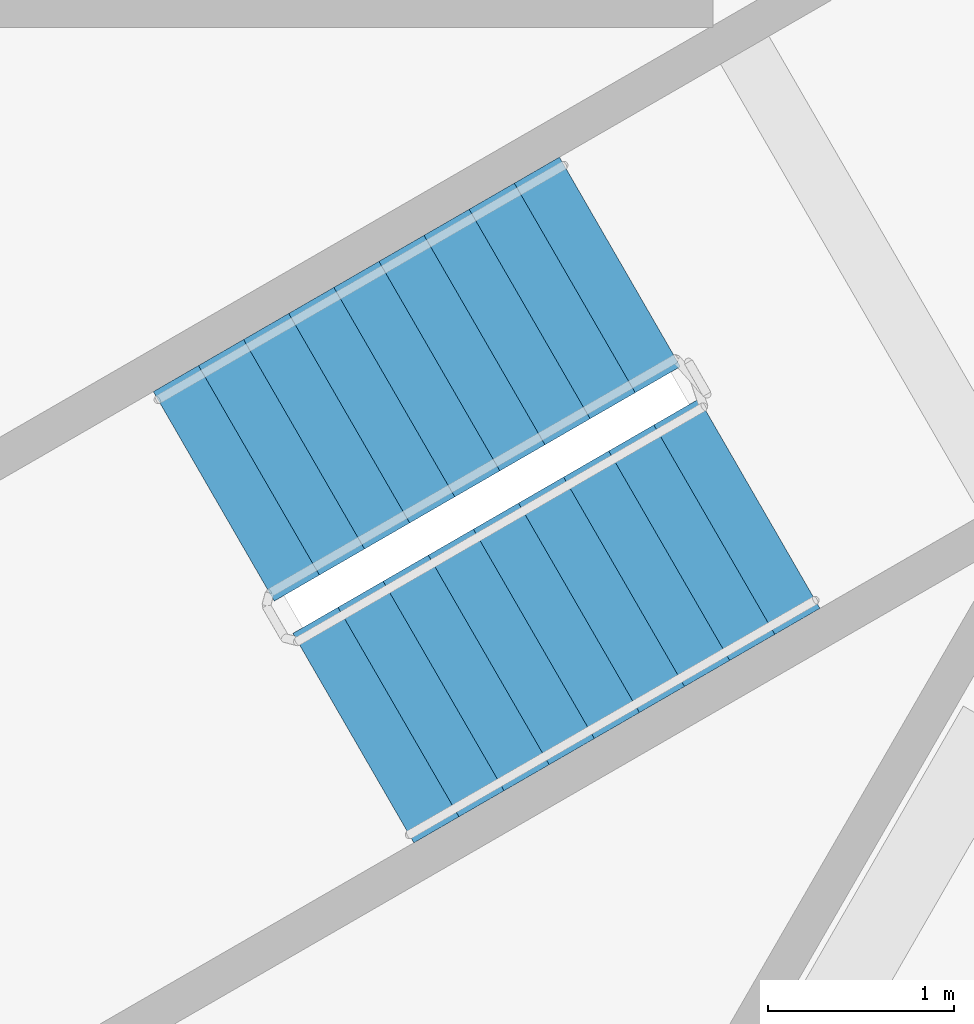
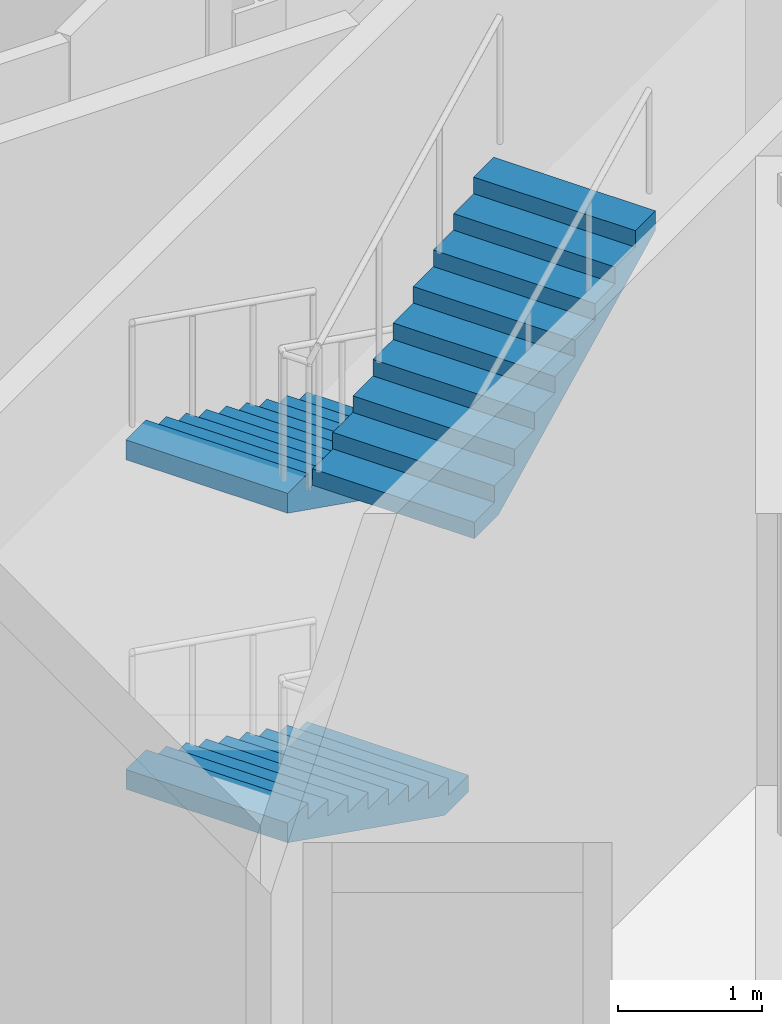
# One storey, part 20 of 26: 3 stair flights, 1 element without a shape of its own.
"""IFC4 building model written with IfcOpenShell, lengths in metres."""

from ifc_helpers import new_model, si_unit, direction, frame, origin, place, context, subcontext, project, spatial, polyline, outline, extrude, material, type_object, element, aggregate, save


model = new_model("IFC4")

# Units and contexts
model_context = context("Model", 3, precision=1e-05, world=origin(), true_north=direction((0.0, 1.0)))
body_context = subcontext(model_context, "Body", "Model", "MODEL_VIEW")
ifc_project = project(units=[si_unit("LENGTHUNIT", "METRE"), si_unit("AREAUNIT", "SQUARE_METRE"), si_unit("VOLUMEUNIT", "CUBIC_METRE"), si_unit("PLANEANGLEUNIT", "RADIAN"), si_unit("MASSUNIT", "GRAM", prefix="KILO")], contexts=[model_context])

# Site, building, storey
site_placement = place(None, origin())
site = spatial("IfcSite", under=ifc_project, at=site_placement, CompositionType="ELEMENT")
building_placement = place(site_placement, origin())
building = spatial("IfcBuilding", under=site, at=building_placement, Name="Verrane Prism Tower", CompositionType="ELEMENT")
storey_placement = place(building_placement, frame((0.0, 0.0, 87.199951171875)))
storey = spatial("IfcBuildingStorey", under=building, at=storey_placement, Name="L20", CompositionType="ELEMENT", Elevation=87.199951171875)

# Stair, stair flights
ifc_material_1 = material(Name="Concrete C40/50", Category="concrete")
stair_type = type_object("IfcStairType", Name="Exit stair 1300 dog-leg precast concrete C40/50", PredefinedType="HALF_TURN_STAIR", material=ifc_material_1)
stair_placement = place(storey_placement, origin())
stair = element("IfcStair", 1, at=stair_placement, inside=storey, type_object=stair_type, Name="Stair 1 L20", PredefinedType="HALF_TURN_STAIR")
ifc_material_2 = material(Name="Concrete C40/50", Category="concrete")
stair_flight_type = type_object("IfcStairFlightType", Name="Stair flight 1300 precast concrete C40/50", PredefinedType="STRAIGHT", material=ifc_material_2)
stair_flight_1_placement = place(storey_placement, frame((11.489501953125, 7.49951171875, 0.0), z_axis=(0.0, 0.0, 1.0), x_axis=(-0.866025403784, -0.5, 0.0)))
stair_flight_1 = element("IfcStairFlight", 2, at=stair_flight_1_placement, type_object=stair_flight_type, Name="Stair 1 flight 1", NumberOfRisers=10, NumberOfTreads=9, PredefinedType="STRAIGHT", RiserHeight=0.14, TreadLength=0.28, context=body_context, shape_type="SweptSolid", body=[
    extrude(outline(polyline([(0.0, 0.0), (0.0, 0.139892578125), (0.280029296875, 0.139892578125), (0.280029296875, 0.280029296875), (0.56005859375, 0.280029296875), (0.56005859375, 0.419921875), (0.840087890625, 0.419921875), (0.840087890625, 0.56005859375), (1.1201171875, 0.56005859375), (1.1201171875, 0.699951171875), (1.39990234375, 0.699951171875), (1.39990234375, 0.840087890625), (1.679931640625, 0.840087890625), (1.679931640625, 0.97998046875), (1.9599609375, 0.97998046875), (1.9599609375, 1.1201171875), (2.239990234375, 1.1201171875), (2.239990234375, 1.260009765625), (2.52001953125, 1.260009765625), (2.52001953125, 1.39990234375), (2.52001953125, 1.09228515625), (0.335205078125, 0.0), (0.0, 0.0)])), frame((0.0, 0.64990234375, 0.0), z_axis=(0.0, -1.0, 0.0), x_axis=(1.0, 0.0, 0.0)), (0.0, 0.0, 1.0), 1.300048828125),
])
stair_flight_2_placement = place(storey_placement, frame((11.489501953125, 7.49951171875, 2.800048828125), z_axis=(0.0, 0.0, 1.0), x_axis=(-0.866025403784, -0.5, 0.0)))
stair_flight_2 = element("IfcStairFlight", 3, at=stair_flight_2_placement, type_object=stair_flight_type, Name="Stair 1 flight 3", NumberOfRisers=10, NumberOfTreads=9, PredefinedType="STRAIGHT", RiserHeight=0.14, TreadLength=0.28, context=body_context, shape_type="SweptSolid", body=[
    extrude(outline(polyline([(0.0, 0.0), (0.0, 0.139892578125), (0.280029296875, 0.139892578125), (0.280029296875, 0.280029296875), (0.56005859375, 0.280029296875), (0.56005859375, 0.419921875), (0.840087890625, 0.419921875), (0.840087890625, 0.56005859375), (1.1201171875, 0.56005859375), (1.1201171875, 0.699951171875), (1.39990234375, 0.699951171875), (1.39990234375, 0.840087890625), (1.679931640625, 0.840087890625), (1.679931640625, 0.97998046875), (1.9599609375, 0.97998046875), (1.9599609375, 1.1201171875), (2.239990234375, 1.1201171875), (2.239990234375, 1.260009765625), (2.52001953125, 1.260009765625), (2.52001953125, 1.39990234375), (2.52001953125, 1.09228515625), (0.335205078125, 0.0), (0.0, 0.0)])), frame((0.0, 0.64990234375, 0.0), z_axis=(0.0, -1.0, 0.0), x_axis=(1.0, 0.0, 0.0)), (0.0, 0.0, 1.0), 1.300048828125),
])
stair_flight_3_placement = place(storey_placement, frame((10.05712890625, 4.9404296875, 4.199951171875), z_axis=(0.0, 0.0, 1.0), x_axis=(0.866025403784, 0.5, 0.0)))
stair_flight_3 = element("IfcStairFlight", 4, at=stair_flight_3_placement, type_object=stair_flight_type, Name="Stair 1 flight 4", NumberOfRisers=10, NumberOfTreads=9, PredefinedType="STRAIGHT", RiserHeight=0.14, TreadLength=0.28, context=body_context, shape_type="SweptSolid", body=[
    extrude(outline(polyline([(0.0, 0.0), (0.0, 0.139892578125), (0.280029296875, 0.139892578125), (0.280029296875, 0.280029296875), (0.56005859375, 0.280029296875), (0.56005859375, 0.419921875), (0.840087890625, 0.419921875), (0.840087890625, 0.56005859375), (1.1201171875, 0.56005859375), (1.1201171875, 0.699951171875), (1.39990234375, 0.699951171875), (1.39990234375, 0.840087890625), (1.679931640625, 0.840087890625), (1.679931640625, 0.97998046875), (1.9599609375, 0.97998046875), (1.9599609375, 1.1201171875), (2.239990234375, 1.1201171875), (2.239990234375, 1.260009765625), (2.52001953125, 1.260009765625), (2.52001953125, 1.39990234375), (2.52001953125, 1.09228515625), (0.335205078125, 0.0), (0.0, 0.0)])), frame((0.0, 0.64990234375, 0.0), z_axis=(0.0, -1.0, 0.0), x_axis=(1.0, 0.0, 0.0)), (0.0, 0.0, 1.0), 1.300048828125),
])
aggregate(stair, [stair_flight_1, stair_flight_2, stair_flight_3])

save(model, "model.ifc")
